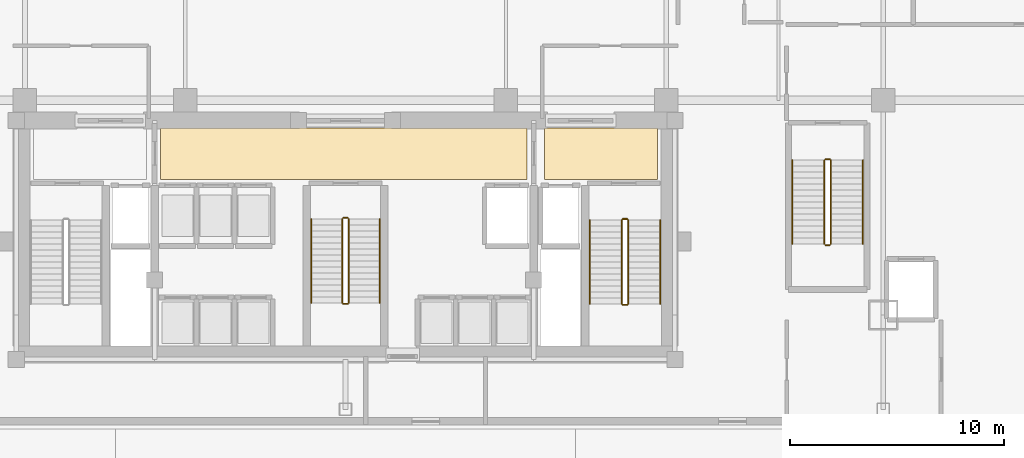
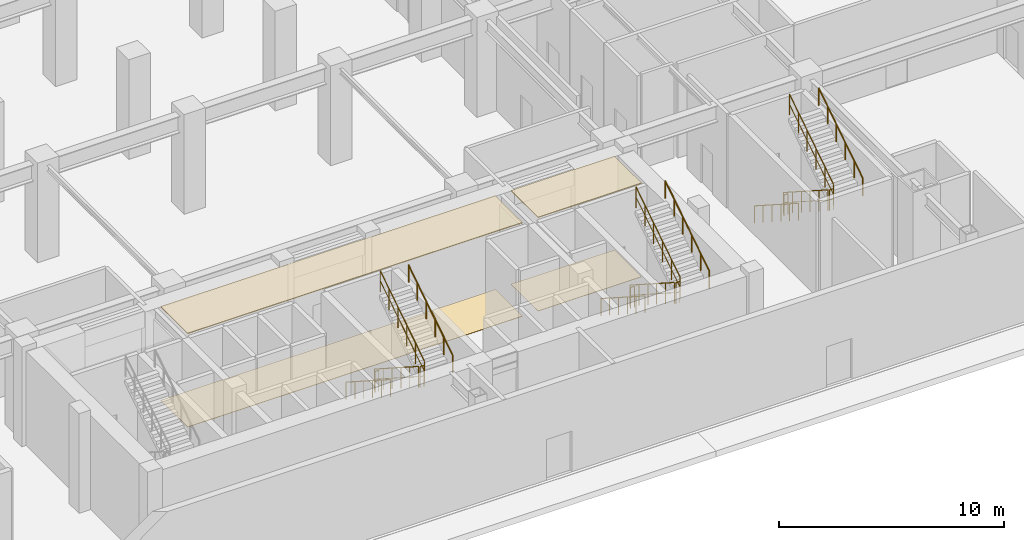
# One storey, part 21 of 23: 18 railings, 4 coverings.
"""IFC4 building model written with IfcOpenShell, lengths in metres."""

from ifc_helpers import new_model, si_unit, direction, frame, origin, origin_2d, place, context, subcontext, project, spatial, polyline, circle, outline, extrude, material, layer, layer_set, type_object, element, save


model = new_model("IFC4")

# Units and contexts
model_context = context("Model", 3, precision=1e-05, world=origin(), true_north=direction((0.0, 1.0)))
body_context = subcontext(model_context, "Body", "Model", "MODEL_VIEW")
ifc_project = project(units=[si_unit("LENGTHUNIT", "METRE"), si_unit("AREAUNIT", "SQUARE_METRE"), si_unit("VOLUMEUNIT", "CUBIC_METRE"), si_unit("PLANEANGLEUNIT", "RADIAN"), si_unit("MASSUNIT", "GRAM", prefix="KILO")], contexts=[model_context])

# Site, building, storey
site_placement = place(None, origin())
site = spatial("IfcSite", under=ifc_project, at=site_placement, CompositionType="ELEMENT")
building_placement = place(site_placement, origin())
building = spatial("IfcBuilding", under=site, at=building_placement, Name="Ventersveld Concourse Tower", CompositionType="ELEMENT")
storey_placement = place(building_placement, origin())
storey = spatial("IfcBuildingStorey", under=building, at=storey_placement, Name="L00", CompositionType="ELEMENT", Elevation=0.0)

# Coverings
ifc_material_1 = material(Name="Mineral-fibre acoustic ceiling tile", Category="gypsum")
ifc_layer_1 = layer(ifc_material_1, 0.0400390625)
ifc_layer_set_1 = layer_set([ifc_layer_1], Name="Mineral-fibre acoustic ceiling tile")
covering_type_1 = type_object("IfcCoveringType", Name="COV-CEIL-ACOUSTIC", PredefinedType="CEILING", material=ifc_layer_set_1)
covering_1_placement = place(storey_placement, frame((0.0, 0.0, 5.06005859375)))
element("IfcCovering", 1, at=covering_1_placement, inside=storey, type_object=covering_type_1, Name="L00 North Lift Lobby Acoustic Ceiling", PredefinedType="CEILING", context=body_context, shape_type="SweptSolid", body=[
    extrude(outline(polyline([(20.10009765625, 8.699951171875), (37.25, 8.699951171875), (37.25, 11.10009765625), (20.10009765625, 11.10009765625), (20.10009765625, 8.699951171875)])), origin(), (0.0, 0.0, 1.0), 0.0400390625),
])
covering_2_placement = place(storey_placement, frame((0.0, 0.0, 5.06005859375)))
element("IfcCovering", 2, at=covering_2_placement, inside=storey, type_object=covering_type_1, Name="L00 East Firefighting Lobby Acoustic Ceiling", PredefinedType="CEILING", context=body_context, shape_type="SweptSolid", body=[
    extrude(outline(polyline([(38.050048828125, 8.699951171875), (43.35009765625, 8.699951171875), (43.35009765625, 11.10009765625), (38.050048828125, 11.10009765625), (38.050048828125, 8.699951171875)])), origin(), (0.0, 0.0, 1.0), 0.0400390625),
])
ifc_material_2 = material(Name="Polished Highveld granite terrazzo", Category="masonry")
ifc_layer_2 = layer(ifc_material_2, 0.02001953125)
ifc_layer_set_2 = layer_set([ifc_layer_2], Name="Polished Highveld granite terrazzo")
covering_type_2 = type_object("IfcCoveringType", Name="COV-FLOOR-TERRAZZO", PredefinedType="FLOORING", material=ifc_layer_set_2)
covering_3_placement = place(storey_placement, origin())
element("IfcCovering", 3, at=covering_3_placement, inside=storey, type_object=covering_type_2, Name="L00 North Lift Lobby Terrazzo Flooring", PredefinedType="FLOORING", context=body_context, shape_type="SweptSolid", body=[
    extrude(outline(polyline([(20.10009765625, 8.699951171875), (37.25, 8.699951171875), (37.25, 11.10009765625), (20.10009765625, 11.10009765625), (20.10009765625, 8.699951171875)])), origin(), (0.0, 0.0, 1.0), 0.02001953125),
])
covering_4_placement = place(storey_placement, origin())
element("IfcCovering", 4, at=covering_4_placement, inside=storey, type_object=covering_type_2, Name="L00 East Firefighting Lobby Terrazzo Flooring", PredefinedType="FLOORING", context=body_context, shape_type="SweptSolid", body=[
    extrude(outline(polyline([(38.050048828125, 8.699951171875), (43.35009765625, 8.699951171875), (43.35009765625, 11.10009765625), (38.050048828125, 11.10009765625), (38.050048828125, 8.699951171875)])), origin(), (0.0, 0.0, 1.0), 0.02001953125),
])

# Railings
ifc_material_3 = material(Name="Brushed stainless steel 316", Category="steel")
railing_type_1 = type_object("IfcRailingType", Name="GD-BAL-115", PredefinedType="GUARDRAIL", material=ifc_material_3)
railing_1_placement = place(storey_placement, frame((41.669921875, 6.800048828125, 0.179931640625)))
element("IfcRailing", 5, at=railing_1_placement, inside=storey, type_object=railing_type_1, Name="L00 ST-02 stair guard 1", PredefinedType="GUARDRAIL", context=body_context, shape_type="SweptSolid", body=[
    extrude(circle(Radius=0.02392578125, at=origin_2d()), frame((0.0, 0.0, 1.1259765625), z_axis=(0.0, -0.841186985886, 0.540744352514), x_axis=(1.0, 0.0, 0.0)), (0.0, 0.0, 1.0), 4.660400390625),
    extrude(circle(Radius=0.01611328125, at=origin_2d()), frame((0.0, 0.0, 0.574951171875), z_axis=(0.0, -0.841186985886, 0.540744352514), x_axis=(1.0, 0.0, 0.0)), (0.0, 0.0, 1.0), 4.660400390625),
    extrude(circle(Radius=0.02099609375, at=origin_2d()), origin(), (0.0, 0.0, 1.0), 1.101806640625),
    extrude(circle(Radius=0.02099609375, at=origin_2d()), frame((0.0, -0.783935546875, 0.50390625)), (0.0, 0.0, 1.0), 1.101806640625),
    extrude(circle(Radius=0.02099609375, at=origin_2d()), frame((0.0, -1.568115234375, 1.008056640625)), (0.0, 0.0, 1.0), 1.101806640625),
    extrude(circle(Radius=0.02099609375, at=origin_2d()), frame((0.0, -2.35205078125, 1.511962890625)), (0.0, 0.0, 1.0), 1.101806640625),
    extrude(circle(Radius=0.02099609375, at=origin_2d()), frame((0.0, -3.13623046875, 2.01611328125)), (0.0, 0.0, 1.0), 1.101806640625),
    extrude(circle(Radius=0.02099609375, at=origin_2d()), frame((0.0, -3.920166015625, 2.52001953125)), (0.0, 0.0, 1.0), 1.101806640625),
])
railing_2_placement = place(storey_placement, frame((41.719970703125, 2.830078125, 2.699951171875)))
element("IfcRailing", 6, at=railing_2_placement, inside=storey, type_object=railing_type_1, Name="L00 ST-02 stair guard 2", PredefinedType="GUARDRAIL", context=body_context, shape_type="SweptSolid", body=[
    extrude(circle(Radius=0.02392578125, at=origin_2d()), frame((0.0, 0.0, 1.1259765625), z_axis=(1.0, 0.0, 0.0), x_axis=(0.0, 1.0, 0.0)), (0.0, 0.0, 1.0), 0.199951171875),
    extrude(circle(Radius=0.01611328125, at=origin_2d()), frame((0.0, 0.0, 0.574951171875), z_axis=(1.0, 0.0, 0.0), x_axis=(0.0, 1.0, 0.0)), (0.0, 0.0, 1.0), 0.199951171875),
    extrude(circle(Radius=0.02099609375, at=origin_2d()), origin(), (0.0, 0.0, 1.0), 1.101806640625),
    extrude(circle(Radius=0.02099609375, at=origin_2d()), frame((0.199951171875, 0.0, 0.0)), (0.0, 0.0, 1.0), 1.101806640625),
])
railing_3_placement = place(storey_placement, frame((41.969970703125, 2.8798828125, 2.8798828125)))
element("IfcRailing", 7, at=railing_3_placement, inside=storey, type_object=railing_type_1, Name="L00 ST-02 stair guard 3", PredefinedType="GUARDRAIL", context=body_context, shape_type="SweptSolid", body=[
    extrude(circle(Radius=0.02392578125, at=origin_2d()), frame((0.0, 0.0, 1.1259765625), z_axis=(0.0, 0.841186985886, 0.540744352514), x_axis=(-1.0, 0.0, 0.0)), (0.0, 0.0, 1.0), 4.660400390625),
    extrude(circle(Radius=0.01611328125, at=origin_2d()), frame((0.0, 0.0, 0.574951171875), z_axis=(0.0, 0.841186985886, 0.540744352514), x_axis=(-1.0, 0.0, 0.0)), (0.0, 0.0, 1.0), 4.660400390625),
    extrude(circle(Radius=0.02099609375, at=origin_2d()), origin(), (0.0, 0.0, 1.0), 1.101806640625),
    extrude(circle(Radius=0.02099609375, at=origin_2d()), frame((0.0, 0.783935546875, 0.50390625)), (0.0, 0.0, 1.0), 1.101806640625),
    extrude(circle(Radius=0.02099609375, at=origin_2d()), frame((0.0, 1.568115234375, 1.008056640625)), (0.0, 0.0, 1.0), 1.101806640625),
    extrude(circle(Radius=0.02099609375, at=origin_2d()), frame((0.0, 2.35205078125, 1.511962890625)), (0.0, 0.0, 1.0), 1.101806640625),
    extrude(circle(Radius=0.02099609375, at=origin_2d()), frame((0.0, 3.13623046875, 2.01611328125)), (0.0, 0.0, 1.0), 1.101806640625),
    extrude(circle(Radius=0.02099609375, at=origin_2d()), frame((0.0, 3.920166015625, 2.52001953125)), (0.0, 0.0, 1.0), 1.101806640625),
])
railing_4_placement = place(storey_placement, frame((41.719970703125, 6.85009765625, 0.0)))
element("IfcRailing", 8, at=railing_4_placement, inside=storey, type_object=railing_type_1, Name="L00 ST-02 stair guard 4", PredefinedType="GUARDRAIL", context=body_context, shape_type="SweptSolid", body=[
    extrude(circle(Radius=0.02392578125, at=origin_2d()), frame((0.0, 0.0, 1.1259765625), z_axis=(1.0, 0.0, 0.0), x_axis=(0.0, 1.0, 0.0)), (0.0, 0.0, 1.0), 0.199951171875),
    extrude(circle(Radius=0.01611328125, at=origin_2d()), frame((0.0, 0.0, 0.574951171875), z_axis=(1.0, 0.0, 0.0), x_axis=(0.0, 1.0, 0.0)), (0.0, 0.0, 1.0), 0.199951171875),
    extrude(circle(Radius=0.02099609375, at=origin_2d()), origin(), (0.0, 0.0, 1.0), 1.101806640625),
    extrude(circle(Radius=0.02099609375, at=origin_2d()), frame((0.199951171875, 0.0, 0.0)), (0.0, 0.0, 1.0), 1.101806640625),
])
railing_5_placement = place(storey_placement, frame((28.60009765625, 6.85009765625, 0.179931640625)))
element("IfcRailing", 9, at=railing_5_placement, inside=storey, type_object=railing_type_1, Name="L00 ST-03 stair guard 1", PredefinedType="GUARDRAIL", context=body_context, shape_type="SweptSolid", body=[
    extrude(circle(Radius=0.02392578125, at=origin_2d()), frame((0.0, 0.0, 1.1259765625), z_axis=(0.0, -0.841186985886, 0.540744352514), x_axis=(1.0, 0.0, 0.0)), (0.0, 0.0, 1.0), 4.660400390625),
    extrude(circle(Radius=0.01611328125, at=origin_2d()), frame((0.0, 0.0, 0.574951171875), z_axis=(0.0, -0.841186985886, 0.540744352514), x_axis=(1.0, 0.0, 0.0)), (0.0, 0.0, 1.0), 4.660400390625),
    extrude(circle(Radius=0.02099609375, at=origin_2d()), origin(), (0.0, 0.0, 1.0), 1.101806640625),
    extrude(circle(Radius=0.02099609375, at=origin_2d()), frame((0.0, -0.783935546875, 0.50390625)), (0.0, 0.0, 1.0), 1.101806640625),
    extrude(circle(Radius=0.02099609375, at=origin_2d()), frame((0.0, -1.568115234375, 1.008056640625)), (0.0, 0.0, 1.0), 1.101806640625),
    extrude(circle(Radius=0.02099609375, at=origin_2d()), frame((0.0, -2.35205078125, 1.511962890625)), (0.0, 0.0, 1.0), 1.101806640625),
    extrude(circle(Radius=0.02099609375, at=origin_2d()), frame((0.0, -3.13623046875, 2.01611328125)), (0.0, 0.0, 1.0), 1.101806640625),
    extrude(circle(Radius=0.02099609375, at=origin_2d()), frame((0.0, -3.920166015625, 2.52001953125)), (0.0, 0.0, 1.0), 1.101806640625),
])
railing_6_placement = place(storey_placement, frame((28.64990234375, 2.8798828125, 2.699951171875)))
element("IfcRailing", 10, at=railing_6_placement, inside=storey, type_object=railing_type_1, Name="L00 ST-03 stair guard 2", PredefinedType="GUARDRAIL", context=body_context, shape_type="SweptSolid", body=[
    extrude(circle(Radius=0.02392578125, at=origin_2d()), frame((0.0, 0.0, 1.1259765625), z_axis=(1.0, 0.0, 0.0), x_axis=(0.0, 1.0, 0.0)), (0.0, 0.0, 1.0), 0.2001953125),
    extrude(circle(Radius=0.01611328125, at=origin_2d()), frame((0.0, 0.0, 0.574951171875), z_axis=(1.0, 0.0, 0.0), x_axis=(0.0, 1.0, 0.0)), (0.0, 0.0, 1.0), 0.2001953125),
    extrude(circle(Radius=0.02099609375, at=origin_2d()), origin(), (0.0, 0.0, 1.0), 1.101806640625),
    extrude(circle(Radius=0.02099609375, at=origin_2d()), frame((0.2001953125, 0.0, 0.0)), (0.0, 0.0, 1.0), 1.101806640625),
])
railing_7_placement = place(storey_placement, frame((28.89990234375, 2.929931640625, 2.8798828125)))
element("IfcRailing", 11, at=railing_7_placement, inside=storey, type_object=railing_type_1, Name="L00 ST-03 stair guard 3", PredefinedType="GUARDRAIL", context=body_context, shape_type="SweptSolid", body=[
    extrude(circle(Radius=0.02392578125, at=origin_2d()), frame((0.0, 0.0, 1.1259765625), z_axis=(0.0, 0.841186985886, 0.540744352514), x_axis=(-1.0, 0.0, 0.0)), (0.0, 0.0, 1.0), 4.660400390625),
    extrude(circle(Radius=0.01611328125, at=origin_2d()), frame((0.0, 0.0, 0.574951171875), z_axis=(0.0, 0.841186985886, 0.540744352514), x_axis=(-1.0, 0.0, 0.0)), (0.0, 0.0, 1.0), 4.660400390625),
    extrude(circle(Radius=0.02099609375, at=origin_2d()), origin(), (0.0, 0.0, 1.0), 1.101806640625),
    extrude(circle(Radius=0.02099609375, at=origin_2d()), frame((0.0, 0.783935546875, 0.50390625)), (0.0, 0.0, 1.0), 1.101806640625),
    extrude(circle(Radius=0.02099609375, at=origin_2d()), frame((0.0, 1.568115234375, 1.008056640625)), (0.0, 0.0, 1.0), 1.101806640625),
    extrude(circle(Radius=0.02099609375, at=origin_2d()), frame((0.0, 2.35205078125, 1.511962890625)), (0.0, 0.0, 1.0), 1.101806640625),
    extrude(circle(Radius=0.02099609375, at=origin_2d()), frame((0.0, 3.13623046875, 2.01611328125)), (0.0, 0.0, 1.0), 1.101806640625),
    extrude(circle(Radius=0.02099609375, at=origin_2d()), frame((0.0, 3.920166015625, 2.52001953125)), (0.0, 0.0, 1.0), 1.101806640625),
])
railing_8_placement = place(storey_placement, frame((28.64990234375, 6.89990234375, 0.0)))
element("IfcRailing", 12, at=railing_8_placement, inside=storey, type_object=railing_type_1, Name="L00 ST-03 stair guard 4", PredefinedType="GUARDRAIL", context=body_context, shape_type="SweptSolid", body=[
    extrude(circle(Radius=0.02392578125, at=origin_2d()), frame((0.0, 0.0, 1.1259765625), z_axis=(1.0, 0.0, 0.0), x_axis=(0.0, 1.0, 0.0)), (0.0, 0.0, 1.0), 0.2001953125),
    extrude(circle(Radius=0.01611328125, at=origin_2d()), frame((0.0, 0.0, 0.574951171875), z_axis=(1.0, 0.0, 0.0), x_axis=(0.0, 1.0, 0.0)), (0.0, 0.0, 1.0), 0.2001953125),
    extrude(circle(Radius=0.02099609375, at=origin_2d()), origin(), (0.0, 0.0, 1.0), 1.101806640625),
    extrude(circle(Radius=0.02099609375, at=origin_2d()), frame((0.2001953125, 0.0, 0.0)), (0.0, 0.0, 1.0), 1.101806640625),
])
railing_9_placement = place(storey_placement, frame((51.14990234375, 9.60009765625, 0.179931640625)))
element("IfcRailing", 13, at=railing_9_placement, inside=storey, type_object=railing_type_1, Name="L00 ST-05 stair guard 1", PredefinedType="GUARDRAIL", context=body_context, shape_type="SweptSolid", body=[
    extrude(circle(Radius=0.02392578125, at=origin_2d()), frame((0.0, 0.0, 1.1259765625), z_axis=(0.0, -0.841186985886, 0.540744352514), x_axis=(1.0, 0.0, 0.0)), (0.0, 0.0, 1.0), 4.660400390625),
    extrude(circle(Radius=0.01611328125, at=origin_2d()), frame((0.0, 0.0, 0.574951171875), z_axis=(0.0, -0.841186985886, 0.540744352514), x_axis=(1.0, 0.0, 0.0)), (0.0, 0.0, 1.0), 4.660400390625),
    extrude(circle(Radius=0.02099609375, at=origin_2d()), origin(), (0.0, 0.0, 1.0), 1.101806640625),
    extrude(circle(Radius=0.02099609375, at=origin_2d()), frame((0.0, -0.783935546875, 0.50390625)), (0.0, 0.0, 1.0), 1.101806640625),
    extrude(circle(Radius=0.02099609375, at=origin_2d()), frame((0.0, -1.568115234375, 1.008056640625)), (0.0, 0.0, 1.0), 1.101806640625),
    extrude(circle(Radius=0.02099609375, at=origin_2d()), frame((0.0, -2.35205078125, 1.511962890625)), (0.0, 0.0, 1.0), 1.101806640625),
    extrude(circle(Radius=0.02099609375, at=origin_2d()), frame((0.0, -3.13623046875, 2.01611328125)), (0.0, 0.0, 1.0), 1.101806640625),
    extrude(circle(Radius=0.02099609375, at=origin_2d()), frame((0.0, -3.920166015625, 2.52001953125)), (0.0, 0.0, 1.0), 1.101806640625),
])
railing_10_placement = place(storey_placement, frame((51.199951171875, 5.6298828125, 2.699951171875)))
element("IfcRailing", 14, at=railing_10_placement, inside=storey, type_object=railing_type_1, Name="L00 ST-05 stair guard 2", PredefinedType="GUARDRAIL", context=body_context, shape_type="SweptSolid", body=[
    extrude(circle(Radius=0.02392578125, at=origin_2d()), frame((0.0, 0.0, 1.1259765625), z_axis=(1.0, 0.0, 0.0), x_axis=(0.0, 1.0, 0.0)), (0.0, 0.0, 1.0), 0.199951171875),
    extrude(circle(Radius=0.01611328125, at=origin_2d()), frame((0.0, 0.0, 0.574951171875), z_axis=(1.0, 0.0, 0.0), x_axis=(0.0, 1.0, 0.0)), (0.0, 0.0, 1.0), 0.199951171875),
    extrude(circle(Radius=0.02099609375, at=origin_2d()), origin(), (0.0, 0.0, 1.0), 1.101806640625),
    extrude(circle(Radius=0.02099609375, at=origin_2d()), frame((0.199951171875, 0.0, 0.0)), (0.0, 0.0, 1.0), 1.101806640625),
])
railing_11_placement = place(storey_placement, frame((51.449951171875, 5.679931640625, 2.8798828125)))
element("IfcRailing", 15, at=railing_11_placement, inside=storey, type_object=railing_type_1, Name="L00 ST-05 stair guard 3", PredefinedType="GUARDRAIL", context=body_context, shape_type="SweptSolid", body=[
    extrude(circle(Radius=0.02392578125, at=origin_2d()), frame((0.0, 0.0, 1.1259765625), z_axis=(0.0, 0.841186985886, 0.540744352514), x_axis=(-1.0, 0.0, 0.0)), (0.0, 0.0, 1.0), 4.660400390625),
    extrude(circle(Radius=0.01611328125, at=origin_2d()), frame((0.0, 0.0, 0.574951171875), z_axis=(0.0, 0.841186985886, 0.540744352514), x_axis=(-1.0, 0.0, 0.0)), (0.0, 0.0, 1.0), 4.660400390625),
    extrude(circle(Radius=0.02099609375, at=origin_2d()), origin(), (0.0, 0.0, 1.0), 1.101806640625),
    extrude(circle(Radius=0.02099609375, at=origin_2d()), frame((0.0, 0.783935546875, 0.50390625)), (0.0, 0.0, 1.0), 1.101806640625),
    extrude(circle(Radius=0.02099609375, at=origin_2d()), frame((0.0, 1.568115234375, 1.008056640625)), (0.0, 0.0, 1.0), 1.101806640625),
    extrude(circle(Radius=0.02099609375, at=origin_2d()), frame((0.0, 2.35205078125, 1.511962890625)), (0.0, 0.0, 1.0), 1.101806640625),
    extrude(circle(Radius=0.02099609375, at=origin_2d()), frame((0.0, 3.13623046875, 2.01611328125)), (0.0, 0.0, 1.0), 1.101806640625),
    extrude(circle(Radius=0.02099609375, at=origin_2d()), frame((0.0, 3.920166015625, 2.52001953125)), (0.0, 0.0, 1.0), 1.101806640625),
])
railing_12_placement = place(storey_placement, frame((51.199951171875, 9.64990234375, 0.0)))
element("IfcRailing", 16, at=railing_12_placement, inside=storey, type_object=railing_type_1, Name="L00 ST-05 stair guard 4", PredefinedType="GUARDRAIL", context=body_context, shape_type="SweptSolid", body=[
    extrude(circle(Radius=0.02392578125, at=origin_2d()), frame((0.0, 0.0, 1.1259765625), z_axis=(1.0, 0.0, 0.0), x_axis=(0.0, 1.0, 0.0)), (0.0, 0.0, 1.0), 0.199951171875),
    extrude(circle(Radius=0.01611328125, at=origin_2d()), frame((0.0, 0.0, 0.574951171875), z_axis=(1.0, 0.0, 0.0), x_axis=(0.0, 1.0, 0.0)), (0.0, 0.0, 1.0), 0.199951171875),
    extrude(circle(Radius=0.02099609375, at=origin_2d()), origin(), (0.0, 0.0, 1.0), 1.101806640625),
    extrude(circle(Radius=0.02099609375, at=origin_2d()), frame((0.199951171875, 0.0, 0.0)), (0.0, 0.0, 1.0), 1.101806640625),
])
railing_type_2 = type_object("IfcRailingType", Name="HR-RMP-095", PredefinedType="HANDRAIL", material=ifc_material_3)
railing_13_placement = place(storey_placement, frame((40.169921875, 6.800048828125, 0.179931640625)))
element("IfcRailing", 17, at=railing_13_placement, inside=storey, type_object=railing_type_2, Name="L00 ST-02 stair handrail 1", PredefinedType="HANDRAIL", context=body_context, shape_type="SweptSolid", body=[
    extrude(circle(Radius=0.02392578125, at=origin_2d()), frame((0.0, 0.0, 0.92578125), z_axis=(0.0, -0.841186985886, 0.540744352514), x_axis=(1.0, 0.0, 0.0)), (0.0, 0.0, 1.0), 4.660400390625),
    extrude(circle(Radius=0.02099609375, at=origin_2d()), origin(), (0.0, 0.0, 1.0), 0.90185546875),
    extrude(circle(Radius=0.02099609375, at=origin_2d()), frame((0.0, -0.783935546875, 0.50390625)), (0.0, 0.0, 1.0), 0.90185546875),
    extrude(circle(Radius=0.02099609375, at=origin_2d()), frame((0.0, -1.568115234375, 1.008056640625)), (0.0, 0.0, 1.0), 0.90185546875),
    extrude(circle(Radius=0.02099609375, at=origin_2d()), frame((0.0, -2.35205078125, 1.511962890625)), (0.0, 0.0, 1.0), 0.90185546875),
    extrude(circle(Radius=0.02099609375, at=origin_2d()), frame((0.0, -3.13623046875, 2.01611328125)), (0.0, 0.0, 1.0), 0.90185546875),
    extrude(circle(Radius=0.02099609375, at=origin_2d()), frame((0.0, -3.920166015625, 2.52001953125)), (0.0, 0.0, 1.0), 0.90185546875),
])
railing_14_placement = place(storey_placement, frame((43.469970703125, 2.8798828125, 2.8798828125)))
element("IfcRailing", 18, at=railing_14_placement, inside=storey, type_object=railing_type_2, Name="L00 ST-02 stair handrail 2", PredefinedType="HANDRAIL", context=body_context, shape_type="SweptSolid", body=[
    extrude(circle(Radius=0.02392578125, at=origin_2d()), frame((0.0, 0.0, 0.92578125), z_axis=(0.0, 0.841186985886, 0.540744352514), x_axis=(-1.0, 0.0, 0.0)), (0.0, 0.0, 1.0), 4.660400390625),
    extrude(circle(Radius=0.02099609375, at=origin_2d()), origin(), (0.0, 0.0, 1.0), 0.90185546875),
    extrude(circle(Radius=0.02099609375, at=origin_2d()), frame((0.0, 0.783935546875, 0.50390625)), (0.0, 0.0, 1.0), 0.90185546875),
    extrude(circle(Radius=0.02099609375, at=origin_2d()), frame((0.0, 1.568115234375, 1.008056640625)), (0.0, 0.0, 1.0), 0.90185546875),
    extrude(circle(Radius=0.02099609375, at=origin_2d()), frame((0.0, 2.35205078125, 1.511962890625)), (0.0, 0.0, 1.0), 0.90185546875),
    extrude(circle(Radius=0.02099609375, at=origin_2d()), frame((0.0, 3.13623046875, 2.01611328125)), (0.0, 0.0, 1.0), 0.90185546875),
    extrude(circle(Radius=0.02099609375, at=origin_2d()), frame((0.0, 3.920166015625, 2.52001953125)), (0.0, 0.0, 1.0), 0.90185546875),
])
railing_15_placement = place(storey_placement, frame((27.14990234375, 6.85009765625, 0.179931640625)))
element("IfcRailing", 19, at=railing_15_placement, inside=storey, type_object=railing_type_2, Name="L00 ST-03 stair handrail 1", PredefinedType="HANDRAIL", context=body_context, shape_type="SweptSolid", body=[
    extrude(circle(Radius=0.02392578125, at=origin_2d()), frame((0.0, 0.0, 0.92578125), z_axis=(0.0, -0.841186985886, 0.540744352514), x_axis=(1.0, 0.0, 0.0)), (0.0, 0.0, 1.0), 4.660400390625),
    extrude(circle(Radius=0.02099609375, at=origin_2d()), origin(), (0.0, 0.0, 1.0), 0.90185546875),
    extrude(circle(Radius=0.02099609375, at=origin_2d()), frame((0.0, -0.783935546875, 0.50390625)), (0.0, 0.0, 1.0), 0.90185546875),
    extrude(circle(Radius=0.02099609375, at=origin_2d()), frame((0.0, -1.568115234375, 1.008056640625)), (0.0, 0.0, 1.0), 0.90185546875),
    extrude(circle(Radius=0.02099609375, at=origin_2d()), frame((0.0, -2.35205078125, 1.511962890625)), (0.0, 0.0, 1.0), 0.90185546875),
    extrude(circle(Radius=0.02099609375, at=origin_2d()), frame((0.0, -3.13623046875, 2.01611328125)), (0.0, 0.0, 1.0), 0.90185546875),
    extrude(circle(Radius=0.02099609375, at=origin_2d()), frame((0.0, -3.920166015625, 2.52001953125)), (0.0, 0.0, 1.0), 0.90185546875),
])
railing_16_placement = place(storey_placement, frame((30.35009765625, 2.929931640625, 2.8798828125)))
element("IfcRailing", 20, at=railing_16_placement, inside=storey, type_object=railing_type_2, Name="L00 ST-03 stair handrail 2", PredefinedType="HANDRAIL", context=body_context, shape_type="SweptSolid", body=[
    extrude(circle(Radius=0.02392578125, at=origin_2d()), frame((0.0, 0.0, 0.92578125), z_axis=(0.0, 0.841186985886, 0.540744352514), x_axis=(-1.0, 0.0, 0.0)), (0.0, 0.0, 1.0), 4.660400390625),
    extrude(circle(Radius=0.02099609375, at=origin_2d()), origin(), (0.0, 0.0, 1.0), 0.90185546875),
    extrude(circle(Radius=0.02099609375, at=origin_2d()), frame((0.0, 0.783935546875, 0.50390625)), (0.0, 0.0, 1.0), 0.90185546875),
    extrude(circle(Radius=0.02099609375, at=origin_2d()), frame((0.0, 1.568115234375, 1.008056640625)), (0.0, 0.0, 1.0), 0.90185546875),
    extrude(circle(Radius=0.02099609375, at=origin_2d()), frame((0.0, 2.35205078125, 1.511962890625)), (0.0, 0.0, 1.0), 0.90185546875),
    extrude(circle(Radius=0.02099609375, at=origin_2d()), frame((0.0, 3.13623046875, 2.01611328125)), (0.0, 0.0, 1.0), 0.90185546875),
    extrude(circle(Radius=0.02099609375, at=origin_2d()), frame((0.0, 3.920166015625, 2.52001953125)), (0.0, 0.0, 1.0), 0.90185546875),
])
railing_17_placement = place(storey_placement, frame((49.64990234375, 9.60009765625, 0.179931640625)))
element("IfcRailing", 21, at=railing_17_placement, inside=storey, type_object=railing_type_2, Name="L00 ST-05 stair handrail 1", PredefinedType="HANDRAIL", context=body_context, shape_type="SweptSolid", body=[
    extrude(circle(Radius=0.02392578125, at=origin_2d()), frame((0.0, 0.0, 0.92578125), z_axis=(0.0, -0.841186985886, 0.540744352514), x_axis=(1.0, 0.0, 0.0)), (0.0, 0.0, 1.0), 4.660400390625),
    extrude(circle(Radius=0.02099609375, at=origin_2d()), origin(), (0.0, 0.0, 1.0), 0.90185546875),
    extrude(circle(Radius=0.02099609375, at=origin_2d()), frame((0.0, -0.783935546875, 0.50390625)), (0.0, 0.0, 1.0), 0.90185546875),
    extrude(circle(Radius=0.02099609375, at=origin_2d()), frame((0.0, -1.568115234375, 1.008056640625)), (0.0, 0.0, 1.0), 0.90185546875),
    extrude(circle(Radius=0.02099609375, at=origin_2d()), frame((0.0, -2.35205078125, 1.511962890625)), (0.0, 0.0, 1.0), 0.90185546875),
    extrude(circle(Radius=0.02099609375, at=origin_2d()), frame((0.0, -3.13623046875, 2.01611328125)), (0.0, 0.0, 1.0), 0.90185546875),
    extrude(circle(Radius=0.02099609375, at=origin_2d()), frame((0.0, -3.920166015625, 2.52001953125)), (0.0, 0.0, 1.0), 0.90185546875),
])
railing_18_placement = place(storey_placement, frame((52.949951171875, 5.679931640625, 2.8798828125)))
element("IfcRailing", 22, at=railing_18_placement, inside=storey, type_object=railing_type_2, Name="L00 ST-05 stair handrail 2", PredefinedType="HANDRAIL", context=body_context, shape_type="SweptSolid", body=[
    extrude(circle(Radius=0.02392578125, at=origin_2d()), frame((0.0, 0.0, 0.92578125), z_axis=(0.0, 0.841186985886, 0.540744352514), x_axis=(-1.0, 0.0, 0.0)), (0.0, 0.0, 1.0), 4.660400390625),
    extrude(circle(Radius=0.02099609375, at=origin_2d()), origin(), (0.0, 0.0, 1.0), 0.90185546875),
    extrude(circle(Radius=0.02099609375, at=origin_2d()), frame((0.0, 0.783935546875, 0.50390625)), (0.0, 0.0, 1.0), 0.90185546875),
    extrude(circle(Radius=0.02099609375, at=origin_2d()), frame((0.0, 1.568115234375, 1.008056640625)), (0.0, 0.0, 1.0), 0.90185546875),
    extrude(circle(Radius=0.02099609375, at=origin_2d()), frame((0.0, 2.35205078125, 1.511962890625)), (0.0, 0.0, 1.0), 0.90185546875),
    extrude(circle(Radius=0.02099609375, at=origin_2d()), frame((0.0, 3.13623046875, 2.01611328125)), (0.0, 0.0, 1.0), 0.90185546875),
    extrude(circle(Radius=0.02099609375, at=origin_2d()), frame((0.0, 3.920166015625, 2.52001953125)), (0.0, 0.0, 1.0), 0.90185546875),
])

save(model, "model.ifc")
